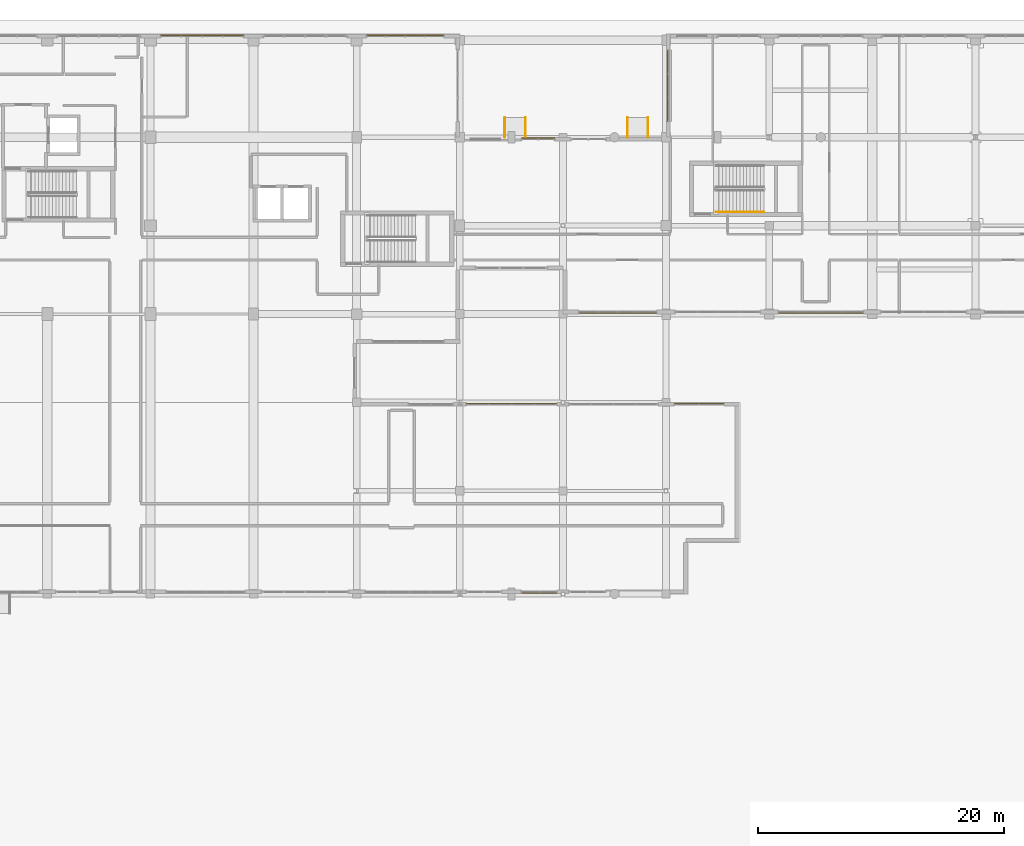
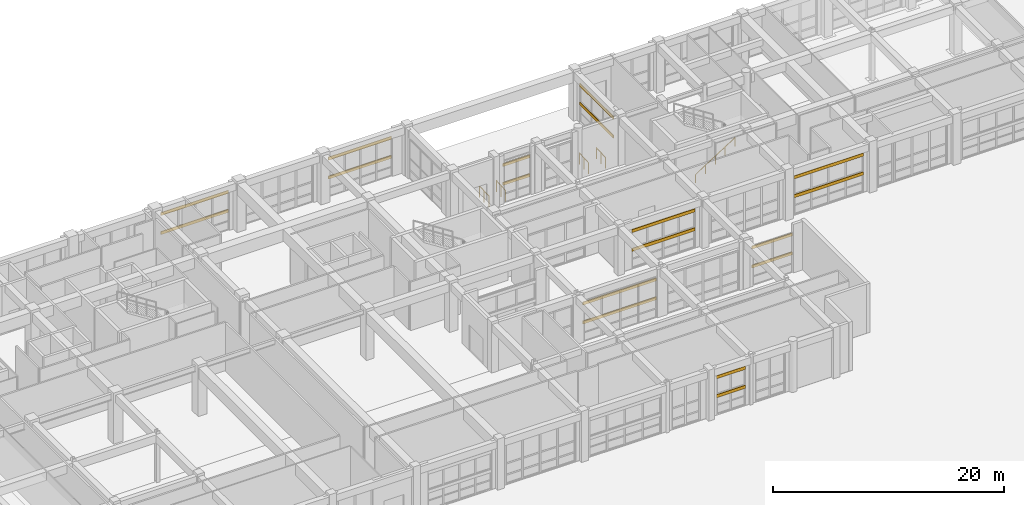
# One storey, part 146 of 148: 18 shading devices, 5 railings.
"""IFC4 building model written with IfcOpenShell, lengths in metres."""

from ifc_helpers import new_model, si_unit, direction, frame, origin, origin_2d, place, context, subcontext, project, spatial, hollow_rectangle, circle, extrude, material, material_profile, profile_set, type_object, element, save


model = new_model("IFC4")

# Units and contexts
model_context = context("Model", 3, precision=1e-05, world=origin(), true_north=direction((0.0, 1.0)))
body_context = subcontext(model_context, "Body", "Model", "MODEL_VIEW")
ifc_project = project(units=[si_unit("LENGTHUNIT", "METRE"), si_unit("AREAUNIT", "SQUARE_METRE"), si_unit("VOLUMEUNIT", "CUBIC_METRE"), si_unit("PLANEANGLEUNIT", "RADIAN"), si_unit("MASSUNIT", "GRAM", prefix="KILO")], contexts=[model_context])

# Site, building, storey
site_placement = place(None, origin())
site = spatial("IfcSite", under=ifc_project, at=site_placement, CompositionType="ELEMENT")
building_placement = place(site_placement, origin())
building = spatial("IfcBuilding", under=site, at=building_placement, Name="Quendrovan Civic Courthouse", CompositionType="ELEMENT")
storey_placement = place(building_placement, origin())
storey = spatial("IfcBuildingStorey", under=building, at=storey_placement, Name="L01", CompositionType="ELEMENT", Elevation=0.0)

# Railings
ifc_material = material(Name="Bronze anodised aluminium", Category="aluminium")
railing_type_1 = type_object("IfcRailingType", Name="RL-EXT-GUARD1100", PredefinedType="GUARDRAIL", material=ifc_material)
for number, where, name in (
    (1, (96.06005859375, 102.0, -0.06005859375), "Accessible Ramp RP4 Guardrail L"),
    (2, (97.739990234375, 102.0, -0.06005859375), "Accessible Ramp RP4 Guardrail R"),
    (3, (106.06005859375, 102.0, -0.06005859375), "Accessible Ramp RP5 Guardrail L"),
    (4, (107.739990234375, 102.0, -0.06005859375), "Accessible Ramp RP5 Guardrail R"),
):
    element("IfcRailing", number, at=place(storey_placement, frame(where)), inside=storey, type_object=railing_type_1, Name=name, PredefinedType="GUARDRAIL", context=body_context, shape_type="SweptSolid", body=[
        extrude(circle(Radius=0.02392578125, at=origin_2d()), frame((0.0, 0.0, 1.15576171875), z_axis=(0.0, 0.999296330453, 0.037507918415), x_axis=(-1.0, 0.0, 0.0)), (0.0, 0.0, 1.0), 1.601318359375),
        extrude(circle(Radius=0.02099609375, at=origin_2d()), origin(), (0.0, 0.0, 1.0), 1.1318359375),
        extrude(circle(Radius=0.02099609375, at=origin_2d()), frame((0.0, 0.800048828125, 0.030029296875)), (0.0, 0.0, 1.0), 1.1318359375),
        extrude(circle(Radius=0.02099609375, at=origin_2d()), frame((0.0, 1.60009765625, 0.06005859375)), (0.0, 0.0, 1.0), 1.1318359375),
    ])
railing_type_2 = type_object("IfcRailingType", Name="RL-STR-HAND900", PredefinedType="HANDRAIL", material=ifc_material)
railing_placement = place(storey_placement, frame((113.25, 95.89990234375, 0.179931640625)))
element("IfcRailing", 5, at=railing_placement, inside=storey, type_object=railing_type_2, Name="L01 ST6 stair handrail 1", PredefinedType="HANDRAIL", context=body_context, shape_type="SweptSolid", body=[
    extrude(circle(Radius=0.02392578125, at=origin_2d()), frame((0.0, 0.0, 0.8759765625), z_axis=(0.841171666519, 0.0, 0.540768182723), x_axis=(0.0, 1.0, 0.0)), (0.0, 0.0, 1.0), 4.66015625),
    extrude(circle(Radius=0.02099609375, at=origin_2d()), origin(), (0.0, 0.0, 1.0), 0.851806640625),
    extrude(circle(Radius=0.02099609375, at=origin_2d()), frame((0.97998046875, 0.0, 0.6298828125)), (0.0, 0.0, 1.0), 0.851806640625),
    extrude(circle(Radius=0.02099609375, at=origin_2d()), frame((1.9599609375, 0.0, 1.260009765625)), (0.0, 0.0, 1.0), 0.851806640625),
    extrude(circle(Radius=0.02099609375, at=origin_2d()), frame((2.93994140625, 0.0, 1.89013671875)), (0.0, 0.0, 1.0), 0.851806640625),
    extrude(circle(Radius=0.02099609375, at=origin_2d()), frame((3.919921875, 0.0, 2.52001953125)), (0.0, 0.0, 1.0), 0.851806640625),
])

# Shading devices
ifc_material_profile = material_profile(ifc_material, hollow_rectangle(XDim=0.06494140625, YDim=0.320068359375, WallThickness=0.0048828125, at=origin_2d()), Name="AL-LOUVRE-65x320")
ifc_profile_set = profile_set([ifc_material_profile], Name="Bronze anodised aluminium")
shading_device_type = type_object("IfcShadingDeviceType", Name="SHD-STORM-LOUVRE", PredefinedType="JALOUSIE", material=ifc_profile_set)
for number, where, z_axis, x_axis, name in (
    (6, (68.02490234375, 110.31494140625, 1.949951171875), (1.0, 0.0, 0.0), (0.0, 1.0, 0.0), "L01 Bronze Hurricane Storm Louvre SLV-029"),
    (7, (68.02490234375, 110.31494140625, 3.949951171875), (1.0, 0.0, 0.0), (0.0, 1.0, 0.0), "L01 Bronze Hurricane Storm Louvre SLV-030"),
):
    element("IfcShadingDevice", number, at=place(storey_placement, frame(where, z_axis=z_axis, x_axis=x_axis)), inside=storey, type_object=shading_device_type, Name=name, PredefinedType="JALOUSIE", context=body_context, shape_type="SweptSolid", body=[
        extrude(hollow_rectangle(XDim=0.06494140625, YDim=0.320068359375, WallThickness=0.0048828125, at=origin_2d()), origin(), (0.0, 0.0, 1.0), 6.775146484375),
    ])
for number, where, z_axis, x_axis, name in (
    (8, (84.800048828125, 110.31494140625, 1.949951171875), (1.0, 0.0, 0.0), (0.0, 1.0, 0.0), "L01 Bronze Hurricane Storm Louvre SLV-031"),
    (9, (84.800048828125, 110.31494140625, 3.949951171875), (1.0, 0.0, 0.0), (0.0, 1.0, 0.0), "L01 Bronze Hurricane Storm Louvre SLV-032"),
):
    element("IfcShadingDevice", number, at=place(storey_placement, frame(where, z_axis=z_axis, x_axis=x_axis)), inside=storey, type_object=shading_device_type, Name=name, PredefinedType="JALOUSIE", context=body_context, shape_type="SweptSolid", body=[
        extrude(hollow_rectangle(XDim=0.06494140625, YDim=0.320068359375, WallThickness=0.0048828125, at=origin_2d()), origin(), (0.0, 0.0, 1.0), 6.300048828125),
    ])
for number, where, z_axis, x_axis, name in (
    (10, (97.425048828125, 101.9150390625, 1.949951171875), (1.0, 0.0, 0.0), (0.0, 1.0, 0.0), "L01 Bronze Hurricane Storm Louvre SLV-033"),
    (11, (97.425048828125, 101.9150390625, 3.949951171875), (1.0, 0.0, 0.0), (0.0, 1.0, 0.0), "L01 Bronze Hurricane Storm Louvre SLV-034"),
):
    element("IfcShadingDevice", number, at=place(storey_placement, frame(where, z_axis=z_axis, x_axis=x_axis)), inside=storey, type_object=shading_device_type, Name=name, PredefinedType="JALOUSIE", context=body_context, shape_type="SweptSolid", body=[
        extrude(hollow_rectangle(XDim=0.06494140625, YDim=0.320068359375, WallThickness=0.0048828125, at=origin_2d()), origin(), (0.0, 0.0, 1.0), 2.699951171875),
    ])
for number, where, z_axis, x_axis, name in (
    (12, (109.284912109375, 103.300048828125, 1.949951171875), (0.0, 1.0, 0.0), (-1.0, 0.0, 0.0), "L01 Bronze Hurricane Storm Louvre SLV-035"),
    (13, (109.284912109375, 103.300048828125, 3.949951171875), (0.0, 1.0, 0.0), (-1.0, 0.0, 0.0), "L01 Bronze Hurricane Storm Louvre SLV-036"),
):
    element("IfcShadingDevice", number, at=place(storey_placement, frame(where, z_axis=z_axis, x_axis=x_axis)), inside=storey, type_object=shading_device_type, Name=name, PredefinedType="JALOUSIE", context=body_context, shape_type="SweptSolid", body=[
        extrude(hollow_rectangle(XDim=0.06494140625, YDim=0.320068359375, WallThickness=0.0048828125, at=origin_2d()), origin(), (0.0, 0.0, 1.0), 5.800048828125),
    ])
for number, where, z_axis, x_axis, name in (
    (14, (125.27490234375, 87.68505859375, 1.949951171875), (-1.0, 0.0, 0.0), (0.0, -1.0, 0.0), "L01 Bronze Hurricane Storm Louvre SLV-047"),
    (15, (125.27490234375, 87.68505859375, 3.949951171875), (-1.0, 0.0, 0.0), (0.0, -1.0, 0.0), "L01 Bronze Hurricane Storm Louvre SLV-048"),
):
    element("IfcShadingDevice", number, at=place(storey_placement, frame(where, z_axis=z_axis, x_axis=x_axis)), inside=storey, type_object=shading_device_type, Name=name, PredefinedType="JALOUSIE", context=body_context, shape_type="SweptSolid", body=[
        extrude(hollow_rectangle(XDim=0.06494140625, YDim=0.320068359375, WallThickness=0.0048828125, at=origin_2d()), origin(), (0.0, 0.0, 1.0), 6.9248046875),
    ])
for number, where, z_axis, x_axis, name in (
    (16, (108.425048828125, 87.68505859375, 1.949951171875), (-1.0, 0.0, 0.0), (0.0, -1.0, 0.0), "L01 Bronze Hurricane Storm Louvre SLV-049"),
    (17, (108.425048828125, 87.68505859375, 3.949951171875), (-1.0, 0.0, 0.0), (0.0, -1.0, 0.0), "L01 Bronze Hurricane Storm Louvre SLV-050"),
):
    element("IfcShadingDevice", number, at=place(storey_placement, frame(where, z_axis=z_axis, x_axis=x_axis)), inside=storey, type_object=shading_device_type, Name=name, PredefinedType="JALOUSIE", context=body_context, shape_type="SweptSolid", body=[
        extrude(hollow_rectangle(XDim=0.06494140625, YDim=0.320068359375, WallThickness=0.0048828125, at=origin_2d()), origin(), (0.0, 0.0, 1.0), 6.324951171875),
    ])
for number, where, z_axis, x_axis, name in (
    (18, (92.93701171875, 80.31494140625, 1.949951171875), (1.0, 0.0, 0.0), (0.0, 1.0, 0.0), "L01 Bronze Hurricane Storm Louvre SLV-053"),
    (19, (92.93701171875, 80.31494140625, 3.949951171875), (1.0, 0.0, 0.0), (0.0, 1.0, 0.0), "L01 Bronze Hurricane Storm Louvre SLV-054"),
):
    element("IfcShadingDevice", number, at=place(storey_placement, frame(where, z_axis=z_axis, x_axis=x_axis)), inside=storey, type_object=shading_device_type, Name=name, PredefinedType="JALOUSIE", context=body_context, shape_type="SweptSolid", body=[
        extrude(hollow_rectangle(XDim=0.06494140625, YDim=0.320068359375, WallThickness=0.0048828125, at=origin_2d()), origin(), (0.0, 0.0, 1.0), 7.363037109375),
    ])
for number, where, z_axis, x_axis, name in (
    (20, (109.875, 80.31494140625, 1.949951171875), (1.0, 0.0, 0.0), (0.0, 1.0, 0.0), "L01 Bronze Hurricane Storm Louvre SLV-055"),
    (21, (109.875, 80.31494140625, 3.949951171875), (1.0, 0.0, 0.0), (0.0, 1.0, 0.0), "L01 Bronze Hurricane Storm Louvre SLV-056"),
):
    element("IfcShadingDevice", number, at=place(storey_placement, frame(where, z_axis=z_axis, x_axis=x_axis)), inside=storey, type_object=shading_device_type, Name=name, PredefinedType="JALOUSIE", context=body_context, shape_type="SweptSolid", body=[
        extrude(hollow_rectangle(XDim=0.06494140625, YDim=0.320068359375, WallThickness=0.0048828125, at=origin_2d()), origin(), (0.0, 0.0, 1.0), 4.02490234375),
    ])
for number, where, z_axis, x_axis, name in (
    (22, (100.300048828125, 64.885009765625, 1.949951171875), (-1.0, 0.0, 0.0), (0.0, -1.0, 0.0), "L01 Bronze Hurricane Storm Louvre SLV-057"),
    (23, (100.300048828125, 64.885009765625, 3.949951171875), (-1.0, 0.0, 0.0), (0.0, -1.0, 0.0), "L01 Bronze Hurricane Storm Louvre SLV-058"),
):
    element("IfcShadingDevice", number, at=place(storey_placement, frame(where, z_axis=z_axis, x_axis=x_axis)), inside=storey, type_object=shading_device_type, Name=name, PredefinedType="JALOUSIE", context=body_context, shape_type="SweptSolid", body=[
        extrude(hollow_rectangle(XDim=0.06494140625, YDim=0.320068359375, WallThickness=0.0048828125, at=origin_2d()), origin(), (0.0, 0.0, 1.0), 2.875),
    ])

save(model, "model.ifc")
